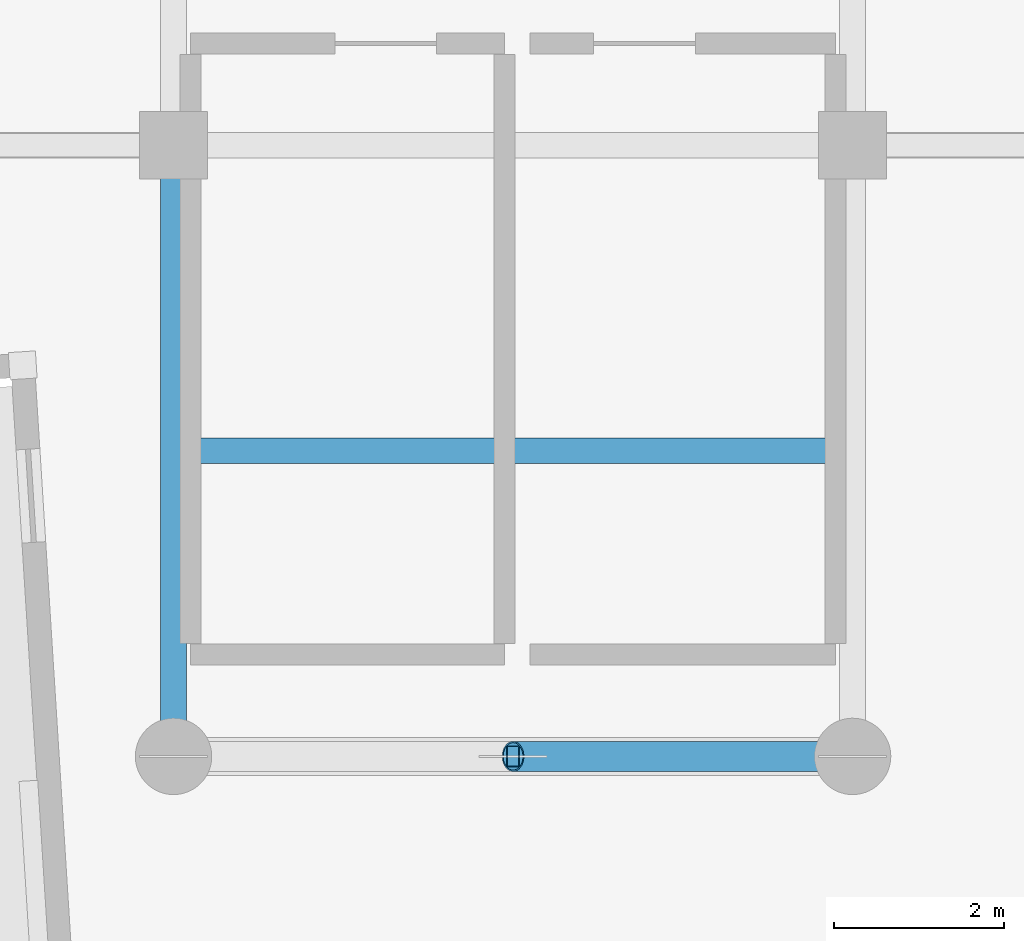
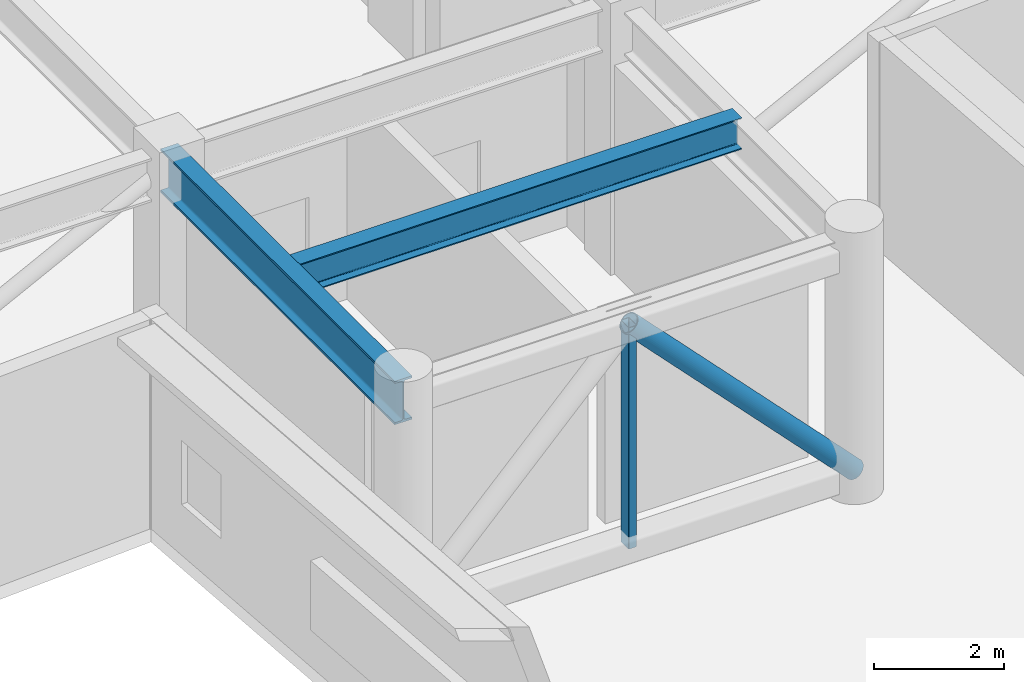
# One storey, part 2 of 14: 2 beams, 2 members.
"""IFC4 building model written with IfcOpenShell, lengths in metres."""

from ifc_helpers import new_model, si_unit, direction, frame, origin, origin_2d, place, context, subcontext, project, spatial, hollow_rectangle, hollow_circle, i_section, extrude, material, material_profile, profile_set, type_object, element, save


model = new_model("IFC4")

# Units and contexts
model_context = context("Model", 3, precision=1e-05, world=origin(), true_north=direction((0.0, 1.0)))
body_context = subcontext(model_context, "Body", "Model", "MODEL_VIEW")
ifc_project = project(units=[si_unit("LENGTHUNIT", "METRE"), si_unit("AREAUNIT", "SQUARE_METRE"), si_unit("VOLUMEUNIT", "CUBIC_METRE"), si_unit("PLANEANGLEUNIT", "RADIAN"), si_unit("MASSUNIT", "GRAM", prefix="KILO")], contexts=[model_context])

# Site, building, storey
site_placement = place(None, origin())
site = spatial("IfcSite", under=ifc_project, at=site_placement, CompositionType="ELEMENT")
building_placement = place(site_placement, origin())
building = spatial("IfcBuilding", under=site, at=building_placement, Name="Qingluan Cross Belvedere", CompositionType="ELEMENT")
storey_placement = place(building_placement, frame((0.0, 0.0, 288.89990234375)))
storey = spatial("IfcBuildingStorey", under=building, at=storey_placement, Name="L72", CompositionType="ELEMENT", Elevation=288.89990234375)

# Members
ifc_material_1 = material(Name="Steel Q420GJB", Category="steel")
ifc_material_profile_1 = material_profile(ifc_material_1, hollow_circle(Radius=0.177490234375, WallThickness=0.01611328125, at=origin_2d()), Name="CHS355x16")
ifc_profile_set_1 = profile_set([ifc_material_profile_1], Name="Steel Q420GJB")
member_type_1 = type_object("IfcMemberType", Name="SteelMember_BRACE_CHS355x16", PredefinedType="BRACE", material=ifc_profile_set_1)
member_1_placement = place(storey_placement, frame((4.0, -19.800048828125, 0.35009765625), z_axis=(-0.693983482825, 0.0, 0.719990920475), x_axis=(0.0, -1.0, 0.0)))
element("IfcMember", 1, at=member_1_placement, inside=storey, type_object=member_type_1, Name="Belt truss diagonal B L72-S", PredefinedType="BRACE", context=body_context, shape_type="SweptSolid", body=[
    extrude(hollow_circle(Radius=0.177490234375, WallThickness=0.01611328125, at=origin_2d()), origin(), (0.0, 0.0, 1.0), 5.763916015625),
])
ifc_material_2 = material(Name="Steel Q420GJB", Category="steel")
ifc_material_profile_2 = material_profile(ifc_material_2, hollow_rectangle(XDim=0.14990234375, YDim=0.25, WallThickness=0.010009765625, InnerFilletRadius=0.010009765625, OuterFilletRadius=0.02001953125, at=origin_2d()), Name="RHS250x150x10")
ifc_profile_set_2 = profile_set([ifc_material_profile_2], Name="Steel Q420GJB")
member_type_2 = type_object("IfcMemberType", Name="SteelMember_POST_RHS250x150x10", PredefinedType="POST", material=ifc_profile_set_2)
member_2_placement = place(storey_placement, frame((0.0, -19.800048828125, 0.35009765625), z_axis=(0.0, 0.0, 1.0), x_axis=(1.0, 0.0, 0.0)))
element("IfcMember", 2, at=member_2_placement, inside=storey, type_object=member_type_2, Name="Belt truss mid-post L72-S", PredefinedType="POST", context=body_context, shape_type="SweptSolid", body=[
    extrude(hollow_rectangle(XDim=0.14990234375, YDim=0.25, WallThickness=0.010009765625, InnerFilletRadius=0.010009765625, OuterFilletRadius=0.02001953125, at=origin_2d()), origin(), (0.0, 0.0, 1.0), 4.14990234375),
])

# Beams
ifc_material_3 = material(Name="Steel Q420GJB", Category="steel")
ifc_material_profile_3 = material_profile(ifc_material_3, i_section(OverallWidth=0.300048828125, OverallDepth=0.587890625, WebThickness=0.011962890625, FlangeThickness=0.02001953125, FilletRadius=0.02392578125, at=origin_2d()), Name="HM588x300x12x20")
ifc_profile_set_3 = profile_set([ifc_material_profile_3], Name="Steel Q420GJB")
beam_type_1 = type_object("IfcBeamType", Name="Steel_Beam_HM588x300x12x20", PredefinedType="BEAM", material=ifc_profile_set_3)
beam_1_placement = place(storey_placement, frame((-4.0, -16.199951171875, 4.55615234375), z_axis=(1.0, 0.0, 0.0), x_axis=(0.0, 1.0, 0.0)))
element("IfcBeam", 3, at=beam_1_placement, inside=storey, type_object=beam_type_1, Name="Arm S beam L72", PredefinedType="BEAM", context=body_context, shape_type="SweptSolid", body=[
    extrude(i_section(OverallWidth=0.300048828125, OverallDepth=0.587890625, WebThickness=0.011962890625, FlangeThickness=0.02001953125, FilletRadius=0.02392578125, at=origin_2d()), origin(), (0.0, 0.0, 1.0), 8.0),
])
ifc_material_4 = material(Name="Steel Q420GJB", Category="steel")
ifc_material_profile_4 = material_profile(ifc_material_4, i_section(OverallWidth=0.305908203125, OverallDepth=0.81396484375, WebThickness=0.02099609375, FlangeThickness=0.0400390625, FilletRadius=0.030029296875, at=origin_2d()), Name="HEM800")
ifc_profile_set_4 = profile_set([ifc_material_profile_4], Name="Steel Q420GJB")
beam_type_2 = type_object("IfcBeamType", Name="Steel_Girder_HEM800", PredefinedType="USERDEFINED", material=ifc_profile_set_4)
beam_2_placement = place(storey_placement, frame((-4.0, -12.60009765625, 4.443115234375), z_axis=(0.0, -1.0, 0.0), x_axis=(1.0, 0.0, 0.0)))
element("IfcBeam", 4, at=beam_2_placement, inside=storey, type_object=beam_type_2, Name="Arm S radial girder A L72", ObjectType="GIRDER", PredefinedType="USERDEFINED", context=body_context, shape_type="SweptSolid", body=[
    extrude(i_section(OverallWidth=0.305908203125, OverallDepth=0.81396484375, WebThickness=0.02099609375, FlangeThickness=0.0400390625, FilletRadius=0.030029296875, at=origin_2d()), origin(), (0.0, 0.0, 1.0), 7.199951171875),
])

save(model, "model.ifc")
